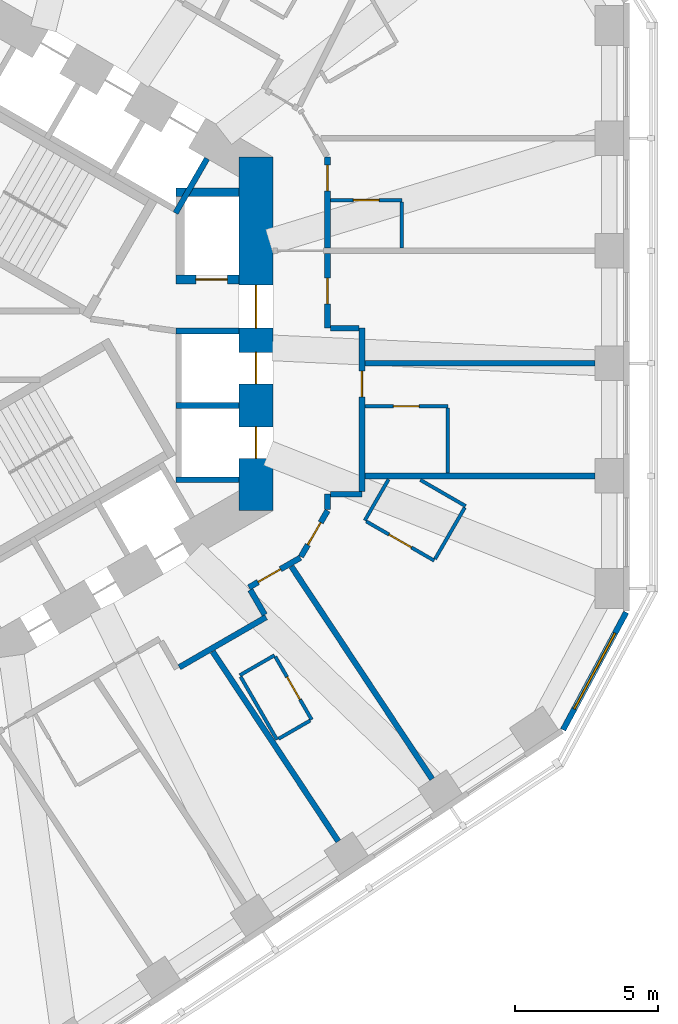
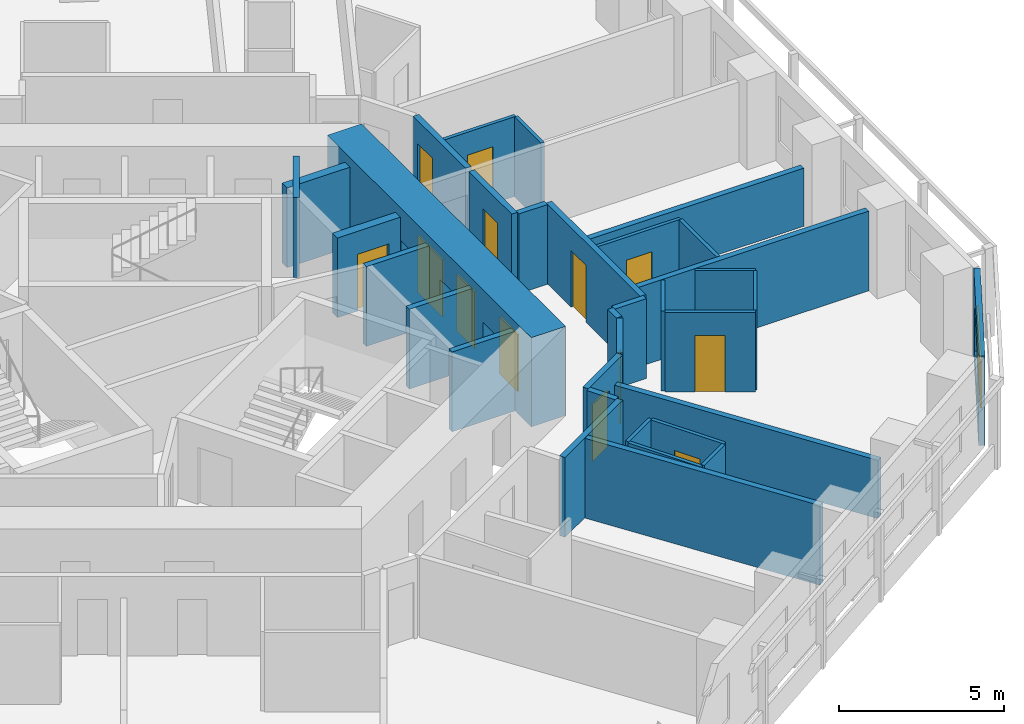
# One storey, part 6 of 12: 34 walls, 13 doors, 1 window, 14 openings.
"""IFC4 building model written with IfcOpenShell, lengths in metres."""

from ifc_helpers import new_model, si_unit, direction, frame, frame_2d, origin, place, context, subcontext, project, spatial, rectangle, extrude, material, layer, layer_set, type_object, element, fill, save


model = new_model("IFC4")

# Units and contexts
model_context = context("Model", 3, precision=1e-05, world=origin(), true_north=direction((0.0, 1.0)))
body_context = subcontext(model_context, "Body", "Model", "MODEL_VIEW")
ifc_project = project(units=[si_unit("LENGTHUNIT", "METRE"), si_unit("AREAUNIT", "SQUARE_METRE"), si_unit("VOLUMEUNIT", "CUBIC_METRE"), si_unit("PLANEANGLEUNIT", "RADIAN"), si_unit("MASSUNIT", "GRAM", prefix="KILO")], contexts=[model_context])

# Site, building, storey
site_placement = place(None, origin())
site = spatial("IfcSite", under=ifc_project, at=site_placement, CompositionType="ELEMENT")
building_placement = place(site_placement, origin())
building = spatial("IfcBuilding", under=site, at=building_placement, Name="Vanh Sen Convention Tower", CompositionType="ELEMENT")
storey_placement = place(building_placement, frame((0.0, 0.0, 73.699951171875)))
storey = spatial("IfcBuildingStorey", under=building, at=storey_placement, Name="L16", CompositionType="ELEMENT", Elevation=73.699951171875)

# Wall
ifc_material_1 = material(Name="Moisture-resistant gypsum board on steel studs", Category="steel")
ifc_layer_1 = layer(ifc_material_1, 0.1201171875)
ifc_layer_set_1 = layer_set([ifc_layer_1], Name="Moisture-resistant gypsum board on steel studs")
wall_type_1 = type_object("IfcWallType", Name="Bathroom partition 120", PredefinedType="PARTITIONING", material=ifc_layer_set_1)
wall_1_placement = place(storey_placement, frame((9.532470703125, -11.93359375, 0.0), z_axis=(0.0, 0.0, 1.0), x_axis=(0.866034573852, 0.49998411664, 0.0)))
element("IfcWall", 1, at=wall_1_placement, inside=storey, type_object=wall_type_1, Name="Bathroom partition 120", PredefinedType="PARTITIONING", context=body_context, shape_type="SweptSolid", body=[
    extrude(rectangle(XDim=1.39990234375, YDim=0.1201171875, at=frame_2d((0.699951171875, 0.0))), origin(), (0.0, 0.0, 1.0), 2.949951171875),
])

# Wall, opening, door
wall_2_placement = place(storey_placement, frame((10.77490234375, -11.28564453125, 0.0), z_axis=(0.0, 0.0, 1.0), x_axis=(0.500046963369, -0.865998287773, 0.0)))
wall_2 = element("IfcWall", 2, at=wall_2_placement, inside=storey, type_object=wall_type_1, Name="Bathroom partition 120", PredefinedType="PARTITIONING", context=body_context, shape_type="SweptSolid", body=[
    extrude(rectangle(XDim=2.539794921875, YDim=0.1201171875, at=frame_2d((1.27001953125, 0.0))), origin(), (0.0, 0.0, 1.0), 2.949951171875),
])
opening_1_placement = place(wall_2_placement, frame((0.820068359375, 0.0, 0.0)))
opening_1 = element("IfcOpeningElement", 3, at=opening_1_placement, cuts=wall_2, Name="Opening D16134", PredefinedType="OPENING", context=body_context, shape_type="SweptSolid", body=[
    extrude(rectangle(XDim=0.89990234375, YDim=2.10009765625, at=frame_2d((0.449951171875, 1.050048828125))), frame((0.0, 0.070068359375, 0.0), z_axis=(0.0, -1.0, 0.0), x_axis=(1.0, 0.0, 0.0)), (0.0, 0.0, 1.0), 0.14013671875),
])
ifc_material_2 = material(Name="Laminate door in steel frame", Category="steel")
door_type_1 = type_object("IfcDoorType", Name="En-suite door 900", OperationType="SINGLE_SWING_LEFT", PredefinedType="DOOR", material=ifc_material_2)
door_1_placement = place(opening_1_placement, origin())
door_1 = element("IfcDoor", 4, at=door_1_placement, inside=storey, type_object=door_type_1, Name="En-suite door D16134", OperationType="SINGLE_SWING_LEFT", OverallHeight=2.10009765625, OverallWidth=0.89990234375, PredefinedType="DOOR", context=body_context, shape_type="SweptSolid", body=[
    extrude(rectangle(XDim=0.89990234375, YDim=2.10009765625, at=frame_2d((0.449951171875, 1.050048828125))), frame((0.0, 0.02490234375, 0.0), z_axis=(0.0, -1.0, 0.0), x_axis=(1.0, 0.0, 0.0)), (0.0, 0.0, 1.0), 0.050048828125),
])
fill(opening_1, door_1)

# Walls
wall_3_placement = place(storey_placement, frame((10.83251953125, -14.185302734375, 0.0), z_axis=(0.0, 0.0, 1.0), x_axis=(-0.500005339912, 0.866022320763, 0.0)))
element("IfcWall", 5, at=wall_3_placement, inside=storey, type_object=wall_type_1, Name="Bathroom partition 120", PredefinedType="PARTITIONING", context=body_context, shape_type="SweptSolid", body=[
    extrude(rectangle(XDim=2.5400390625, YDim=0.1201171875, at=frame_2d((1.27001953125, 0.0))), origin(), (0.0, 0.0, 1.0), 2.949951171875),
])
wall_4_placement = place(storey_placement, frame((11.992919921875, -13.51513671875, 0.0), z_axis=(0.0, 0.0, 1.0), x_axis=(-0.865956862152, -0.500118698802, 0.0)))
element("IfcWall", 6, at=wall_4_placement, inside=storey, type_object=wall_type_1, Name="Bathroom partition 120", PredefinedType="PARTITIONING", context=body_context, shape_type="SweptSolid", body=[
    extrude(rectangle(XDim=1.280029296875, YDim=0.1201171875, at=frame_2d((0.64013671875, 0.0))), origin(), (0.0, 0.0, 1.0), 2.949951171875),
])

# Wall, opening, door
wall_5_placement = place(storey_placement, frame((12.699951171875, 4.677490234375, 0.0), z_axis=(0.0, 0.0, 1.0), x_axis=(1.0, 0.0, 0.0)))
wall_5 = element("IfcWall", 7, at=wall_5_placement, inside=storey, type_object=wall_type_1, Name="Bathroom partition 120", PredefinedType="PARTITIONING", context=body_context, shape_type="SweptSolid", body=[
    extrude(rectangle(XDim=2.5, YDim=0.1201171875, at=frame_2d((1.25, 0.0))), origin(), (0.0, 0.0, 1.0), 2.949951171875),
])
opening_2_placement = place(wall_5_placement, frame((0.800048828125, 0.0, 0.0)))
opening_2 = element("IfcOpeningElement", 8, at=opening_2_placement, cuts=wall_5, Name="Opening D16105", PredefinedType="OPENING", context=body_context, shape_type="SweptSolid", body=[
    extrude(rectangle(XDim=0.89990234375, YDim=2.10009765625, at=frame_2d((0.449951171875, 1.050048828125))), frame((0.0, 0.070068359375, 0.0), z_axis=(0.0, -1.0, 0.0), x_axis=(1.0, 0.0, 0.0)), (0.0, 0.0, 1.0), 0.14013671875),
])
door_2_placement = place(opening_2_placement, origin())
door_2 = element("IfcDoor", 9, at=door_2_placement, inside=storey, type_object=door_type_1, Name="En-suite door D16105", OperationType="SINGLE_SWING_LEFT", OverallHeight=2.10009765625, OverallWidth=0.89990234375, PredefinedType="DOOR", context=body_context, shape_type="SweptSolid", body=[
    extrude(rectangle(XDim=0.89990234375, YDim=2.10009765625, at=frame_2d((0.449951171875, 1.050048828125))), frame((0.0, 0.02490234375, 0.0), z_axis=(0.0, -1.0, 0.0), x_axis=(1.0, 0.0, 0.0)), (0.0, 0.0, 1.0), 0.050048828125),
])
fill(opening_2, door_2)

# Wall
wall_6_placement = place(storey_placement, frame((13.90087890625, -6.5244140625, 0.0), z_axis=(0.0, 0.0, 1.0), x_axis=(0.499964162598, 0.86604609353, 0.0)))
element("IfcWall", 10, at=wall_6_placement, inside=storey, type_object=wall_type_1, Name="Bathroom partition 120", PredefinedType="PARTITIONING", context=body_context, shape_type="SweptSolid", body=[
    extrude(rectangle(XDim=1.6611328125, YDim=0.1201171875, at=frame_2d((0.83056640625, 0.0))), origin(), (0.0, 0.0, 1.0), 2.949951171875),
])

# Wall, opening, door
wall_7_placement = place(storey_placement, frame((13.90087890625, -2.530029296875, 0.0), z_axis=(0.0, 0.0, 1.0), x_axis=(1.0, 0.0, 0.0)))
wall_7 = element("IfcWall", 11, at=wall_7_placement, inside=storey, type_object=wall_type_1, Name="Bathroom partition 120", PredefinedType="PARTITIONING", context=body_context, shape_type="SweptSolid", body=[
    extrude(rectangle(XDim=2.900146484375, YDim=0.1201171875, at=frame_2d((1.4501953125, 0.0))), origin(), (0.0, 0.0, 1.0), 2.949951171875),
])
opening_3_placement = place(wall_7_placement, frame((1.0, 0.0, 0.0)))
opening_3 = element("IfcOpeningElement", 12, at=opening_3_placement, cuts=wall_7, Name="Opening D16102", PredefinedType="OPENING", context=body_context, shape_type="SweptSolid", body=[
    extrude(rectangle(XDim=0.89990234375, YDim=2.10009765625, at=frame_2d((0.449951171875, 1.050048828125))), frame((0.0, 0.070068359375, 0.0), z_axis=(0.0, -1.0, 0.0), x_axis=(1.0, 0.0, 0.0)), (0.0, 0.0, 1.0), 0.14013671875),
])
door_3_placement = place(opening_3_placement, origin())
door_3 = element("IfcDoor", 13, at=door_3_placement, inside=storey, type_object=door_type_1, Name="En-suite door D16102", OperationType="SINGLE_SWING_LEFT", OverallHeight=2.10009765625, OverallWidth=0.89990234375, PredefinedType="DOOR", context=body_context, shape_type="SweptSolid", body=[
    extrude(rectangle(XDim=0.89990234375, YDim=2.10009765625, at=frame_2d((0.449951171875, 1.050048828125))), frame((0.0, 0.02490234375, 0.0), z_axis=(0.0, -1.0, 0.0), x_axis=(1.0, 0.0, 0.0)), (0.0, 0.0, 1.0), 0.050048828125),
])
fill(opening_3, door_3)

# Walls
wall_8_placement = place(storey_placement, frame((15.199951171875, 4.61767578125, 0.0), z_axis=(0.0, 0.0, 1.0), x_axis=(0.0, -1.0, 0.0)))
element("IfcWall", 14, at=wall_8_placement, inside=storey, type_object=wall_type_1, Name="Bathroom partition 120", PredefinedType="PARTITIONING", context=body_context, shape_type="SweptSolid", body=[
    extrude(rectangle(XDim=1.61328125, YDim=0.1201171875, at=frame_2d((0.806640625, 0.0))), origin(), (0.0, 0.0, 1.0), 2.949951171875),
])
wall_9_placement = place(storey_placement, frame((15.84130859375, -5.1044921875, 0.0), z_axis=(0.0, 0.0, 1.0), x_axis=(0.866025591402, -0.499999675036, 0.0)))
element("IfcWall", 15, at=wall_9_placement, inside=storey, type_object=wall_type_1, Name="Bathroom partition 120", PredefinedType="PARTITIONING", context=body_context, shape_type="SweptSolid", body=[
    extrude(rectangle(XDim=1.82958984375, YDim=0.1201171875, at=frame_2d((0.914794921875, 0.0))), origin(), (0.0, 0.0, 1.0), 2.949951171875),
])

# Wall, opening, door
wall_10_placement = place(storey_placement, frame((16.32568359375, -7.924560546875, 0.0), z_axis=(0.0, 0.0, 1.0), x_axis=(-0.865997131366, 0.500048966069, 0.0)))
wall_10 = element("IfcWall", 16, at=wall_10_placement, inside=storey, type_object=wall_type_1, Name="Bathroom partition 120", PredefinedType="PARTITIONING", context=body_context, shape_type="SweptSolid", body=[
    extrude(rectangle(XDim=2.739990234375, YDim=0.1201171875, at=frame_2d((1.3701171875, 0.0))), origin(), (0.0, 0.0, 1.0), 2.949951171875),
])
opening_4_placement = place(wall_10_placement, frame((0.919921875, 0.0, 0.0)))
opening_4 = element("IfcOpeningElement", 17, at=opening_4_placement, cuts=wall_10, Name="Opening D16136", PredefinedType="OPENING", context=body_context, shape_type="SweptSolid", body=[
    extrude(rectangle(XDim=0.89990234375, YDim=2.10009765625, at=frame_2d((0.449951171875, 1.050048828125))), frame((0.0, 0.070068359375, 0.0), z_axis=(0.0, -1.0, 0.0), x_axis=(1.0, 0.0, 0.0)), (0.0, 0.0, 1.0), 0.14013671875),
])
door_4_placement = place(opening_4_placement, origin())
door_4 = element("IfcDoor", 18, at=door_4_placement, inside=storey, type_object=door_type_1, Name="En-suite door D16136", OperationType="SINGLE_SWING_LEFT", OverallHeight=2.10009765625, OverallWidth=0.89990234375, PredefinedType="DOOR", context=body_context, shape_type="SweptSolid", body=[
    extrude(rectangle(XDim=0.89990234375, YDim=2.10009765625, at=frame_2d((0.449951171875, 1.050048828125))), frame((0.0, 0.02490234375, 0.0), z_axis=(0.0, -1.0, 0.0), x_axis=(1.0, 0.0, 0.0)), (0.0, 0.0, 1.0), 0.050048828125),
])
fill(opening_4, door_4)

# Walls
wall_11_placement = place(storey_placement, frame((16.801025390625, -2.590087890625, 0.0), z_axis=(0.0, 0.0, 1.0), x_axis=(0.0, -1.0, 0.0)))
element("IfcWall", 19, at=wall_11_placement, inside=storey, type_object=wall_type_1, Name="Bathroom partition 120", PredefinedType="PARTITIONING", context=body_context, shape_type="SweptSolid", body=[
    extrude(rectangle(XDim=2.2744140625, YDim=0.1201171875, at=frame_2d((1.13720703125, 0.0))), origin(), (0.0, 0.0, 1.0), 2.949951171875),
])
wall_12_placement = place(storey_placement, frame((17.395751953125, -6.0712890625, 0.0), z_axis=(0.0, 0.0, 1.0), x_axis=(-0.500027264788, -0.866009661879, 0.0)))
element("IfcWall", 20, at=wall_12_placement, inside=storey, type_object=wall_type_1, Name="Bathroom partition 120", PredefinedType="PARTITIONING", context=body_context, shape_type="SweptSolid", body=[
    extrude(rectangle(XDim=2.080078125, YDim=0.1201171875, at=frame_2d((1.0400390625, 0.0))), origin(), (0.0, 0.0, 1.0), 2.949951171875),
])

# Wall, openings, doors
ifc_material_3 = material(Name="Concrete C80/95", Category="concrete")
ifc_layer_2 = layer(ifc_material_3, 1.199951171875)
ifc_layer_set_2 = layer_set([ifc_layer_2], Name="Concrete C80/95")
wall_type_2 = type_object("IfcWallType", Name="Core outer wall 1200 C80/95", PredefinedType="SHEAR", material=ifc_layer_set_2)
wall_13_placement = place(storey_placement, frame((10.10009765625, -6.177490234375, 0.0), z_axis=(0.0, 0.0, 1.0), x_axis=(0.0, 1.0, 0.0)))
wall_13 = element("IfcWall", 21, at=wall_13_placement, inside=storey, type_object=wall_type_2, Name="Core wall face E L16", PredefinedType="SHEAR", context=body_context, shape_type="SweptSolid", body=[
    extrude(rectangle(XDim=12.35498046875, YDim=1.199951171875, at=frame_2d((6.177490234375, 0.0))), origin(), (0.0, 0.0, 1.0), 3.300048828125),
])
opening_5_placement = place(wall_13_placement, frame((6.377685546875, 0.0, 0.0)))
opening_5 = element("IfcOpeningElement", 22, at=opening_5_placement, cuts=wall_13, Name="Opening D16001", PredefinedType="OPENING", context=body_context, shape_type="SweptSolid", body=[
    extrude(rectangle(XDim=1.5, YDim=2.10009765625, at=frame_2d((0.75, 1.050048828125))), frame((0.0, 0.60986328125, 0.0), z_axis=(0.0, -1.0, 0.0), x_axis=(1.0, 0.0, 0.0)), (0.0, 0.0, 1.0), 1.219970703125),
])
opening_6_placement = place(wall_13_placement, frame((1.82763671875, 0.0, 0.0)))
opening_6 = element("IfcOpeningElement", 23, at=opening_6_placement, cuts=wall_13, Name="Opening LD-LR1", PredefinedType="OPENING", context=body_context, shape_type="SweptSolid", body=[
    extrude(rectangle(XDim=1.10009765625, YDim=2.10009765625, at=frame_2d((0.550048828125, 1.050048828125))), frame((0.0, 0.60986328125, 0.0), z_axis=(0.0, -1.0, 0.0), x_axis=(1.0, 0.0, 0.0)), (0.0, 0.0, 1.0), 1.219970703125),
])
opening_7_placement = place(wall_13_placement, frame((4.427490234375, 0.0, 0.0)))
opening_7 = element("IfcOpeningElement", 24, at=opening_7_placement, cuts=wall_13, Name="Opening LD-LR2", PredefinedType="OPENING", context=body_context, shape_type="SweptSolid", body=[
    extrude(rectangle(XDim=1.10009765625, YDim=2.10009765625, at=frame_2d((0.550048828125, 1.050048828125))), frame((0.0, 0.60986328125, 0.0), z_axis=(0.0, -1.0, 0.0), x_axis=(1.0, 0.0, 0.0)), (0.0, 0.0, 1.0), 1.219970703125),
])
ifc_material_4 = material(Name="Stainless steel", Category="steel")
door_type_2 = type_object("IfcDoorType", Name="Lift landing door 1100", OperationType="DOUBLE_DOOR_SLIDING", PredefinedType="DOOR", material=ifc_material_4)
door_5_placement = place(opening_6_placement, origin())
door_5 = element("IfcDoor", 25, at=door_5_placement, inside=storey, type_object=door_type_2, Name="Lift LR1 landing door LD-LR1", OperationType="DOUBLE_DOOR_SLIDING", OverallHeight=2.10009765625, OverallWidth=1.10009765625, PredefinedType="DOOR", context=body_context, shape_type="SweptSolid", body=[
    extrude(rectangle(XDim=1.10009765625, YDim=2.10009765625, at=frame_2d((0.550048828125, 1.050048828125))), frame((0.0, 0.02490234375, 0.0), z_axis=(0.0, -1.0, 0.0), x_axis=(1.0, 0.0, 0.0)), (0.0, 0.0, 1.0), 0.050048828125),
])
fill(opening_6, door_5)
door_6_placement = place(opening_7_placement, origin())
door_6 = element("IfcDoor", 26, at=door_6_placement, inside=storey, type_object=door_type_2, Name="Lift LR2 landing door LD-LR2", OperationType="DOUBLE_DOOR_SLIDING", OverallHeight=2.10009765625, OverallWidth=1.10009765625, PredefinedType="DOOR", context=body_context, shape_type="SweptSolid", body=[
    extrude(rectangle(XDim=1.10009765625, YDim=2.10009765625, at=frame_2d((0.550048828125, 1.050048828125))), frame((0.0, 0.02490234375, 0.0), z_axis=(0.0, -1.0, 0.0), x_axis=(1.0, 0.0, 0.0)), (0.0, 0.0, 1.0), 0.050048828125),
])
fill(opening_7, door_6)
ifc_material_5 = material(Name="Steel S355", Category="steel")
door_type_3 = type_object("IfcDoorType", Name="Stair lobby door 1500", OperationType="DOUBLE_DOOR_SINGLE_SWING", PredefinedType="DOOR", material=ifc_material_5)
door_7_placement = place(opening_5_placement, origin())
door_7 = element("IfcDoor", 27, at=door_7_placement, inside=storey, type_object=door_type_3, Name="Stair lobby door D16001", OperationType="DOUBLE_DOOR_SINGLE_SWING", OverallHeight=2.10009765625, OverallWidth=1.5, PredefinedType="DOOR", context=body_context, shape_type="SweptSolid", body=[
    extrude(rectangle(XDim=1.5, YDim=2.10009765625, at=frame_2d((0.75, 1.050048828125))), frame((0.0, 0.02490234375, 0.0), z_axis=(0.0, -1.0, 0.0), x_axis=(1.0, 0.0, 0.0)), (0.0, 0.0, 1.0), 0.050048828125),
])
fill(opening_5, door_7)

# Wall
ifc_material_6 = material(Name="Gypsum board on steel studs with mineral wool", Category="steel")
ifc_layer_3 = layer(ifc_material_6, 0.199951171875)
ifc_layer_set_3 = layer_set([ifc_layer_3], Name="Gypsum board on steel studs with mineral wool")
wall_type_3 = type_object("IfcWallType", Name="Corridor partition wall 200", PredefinedType="PARTITIONING", material=ifc_layer_set_3)
wall_14_placement = place(storey_placement, frame((7.419189453125, -11.652587890625, 0.0), z_axis=(0.0, 0.0, 1.0), x_axis=(0.866038154057, 0.49997791523, 0.0)))
element("IfcWall", 28, at=wall_14_placement, inside=storey, type_object=wall_type_3, Name="Corridor partition wall 200", PredefinedType="PARTITIONING", context=body_context, shape_type="SweptSolid", body=[
    extrude(rectangle(XDim=3.502197265625, YDim=0.199951171875, at=frame_2d((1.7509765625, 0.0))), origin(), (0.0, 0.0, 1.0), 2.949951171875),
])

# Wall, opening, door
wall_15_placement = place(storey_placement, frame((9.8515625, -8.861328125, 0.0), z_axis=(0.0, 0.0, 1.0), x_axis=(0.866013291437, 0.500020978615, 0.0)))
wall_15 = element("IfcWall", 29, at=wall_15_placement, inside=storey, type_object=wall_type_3, Name="Corridor partition wall 200", PredefinedType="PARTITIONING", context=body_context, shape_type="SweptSolid", body=[
    extrude(rectangle(XDim=2.07666015625, YDim=0.199951171875, at=frame_2d((1.038330078125, 0.0))), origin(), (0.0, 0.0, 1.0), 2.949951171875),
])
opening_8_placement = place(wall_15_placement, frame((0.37158203125, 0.0, 0.0)))
opening_8 = element("IfcOpeningElement", 30, at=opening_8_placement, cuts=wall_15, Name="Opening D16133", PredefinedType="OPENING", context=body_context, shape_type="SweptSolid", body=[
    extrude(rectangle(XDim=0.89990234375, YDim=2.10009765625, at=frame_2d((0.449951171875, 1.050048828125))), frame((0.0, 0.10986328125, 0.0), z_axis=(0.0, -1.0, 0.0), x_axis=(1.0, 0.0, 0.0)), (0.0, 0.0, 1.0), 0.219970703125),
])
ifc_material_7 = material(Name="Timber fire door in steel frame", Category="steel")
door_type_4 = type_object("IfcDoorType", Name="Guest room door 900", OperationType="SINGLE_SWING_LEFT", PredefinedType="DOOR", material=ifc_material_7)
door_8_placement = place(opening_8_placement, origin())
door_8 = element("IfcDoor", 31, at=door_8_placement, inside=storey, type_object=door_type_4, Name="Hotel guest room door D16133", OperationType="SINGLE_SWING_LEFT", OverallHeight=2.10009765625, OverallWidth=0.89990234375, PredefinedType="DOOR", context=body_context, shape_type="SweptSolid", body=[
    extrude(rectangle(XDim=0.89990234375, YDim=2.10009765625, at=frame_2d((0.449951171875, 1.050048828125))), frame((0.0, 0.02490234375, 0.0), z_axis=(0.0, -1.0, 0.0), x_axis=(1.0, 0.0, 0.0)), (0.0, 0.0, 1.0), 0.050048828125),
])
fill(opening_8, door_8)

# Wall
wall_16_placement = place(storey_placement, frame((10.402099609375, -9.81494140625, 0.0), z_axis=(0.0, 0.0, 1.0), x_axis=(-0.499968756647, 0.866043441391, 0.0)))
element("IfcWall", 32, at=wall_16_placement, inside=storey, type_object=wall_type_3, Name="Corridor partition wall 200", PredefinedType="PARTITIONING", context=body_context, shape_type="SweptSolid", body=[
    extrude(rectangle(XDim=1.0009765625, YDim=0.199951171875, at=frame_2d((0.50048828125, 0.0))), origin(), (0.0, 0.0, 1.0), 2.949951171875),
])

# Wall, opening, door
wall_17_placement = place(storey_placement, frame((11.669921875, -7.788330078125, 0.0), z_axis=(0.0, 0.0, 1.0), x_axis=(0.500063286585, 0.865988862174, 0.0)))
wall_17 = element("IfcWall", 33, at=wall_17_placement, inside=storey, type_object=wall_type_3, Name="Corridor partition wall 200", PredefinedType="PARTITIONING", context=body_context, shape_type="SweptSolid", body=[
    extrude(rectangle(XDim=1.860107421875, YDim=0.199951171875, at=frame_2d((0.93017578125, 0.0))), origin(), (0.0, 0.0, 1.0), 2.949951171875),
])
opening_9_placement = place(wall_17_placement, frame((0.47998046875, 0.0, 0.0)))
opening_9 = element("IfcOpeningElement", 34, at=opening_9_placement, cuts=wall_17, Name="Opening D16135", PredefinedType="OPENING", context=body_context, shape_type="SweptSolid", body=[
    extrude(rectangle(XDim=0.89990234375, YDim=2.10009765625, at=frame_2d((0.449951171875, 1.050048828125))), frame((0.0, 0.10986328125, 0.0), z_axis=(0.0, -1.0, 0.0), x_axis=(1.0, 0.0, 0.0)), (0.0, 0.0, 1.0), 0.219970703125),
])
door_9_placement = place(opening_9_placement, origin())
door_9 = element("IfcDoor", 35, at=door_9_placement, inside=storey, type_object=door_type_4, Name="Hotel guest room door D16135", OperationType="SINGLE_SWING_LEFT", OverallHeight=2.10009765625, OverallWidth=0.89990234375, PredefinedType="DOOR", context=body_context, shape_type="SweptSolid", body=[
    extrude(rectangle(XDim=0.89990234375, YDim=2.10009765625, at=frame_2d((0.449951171875, 1.050048828125))), frame((0.0, 0.02490234375, 0.0), z_axis=(0.0, -1.0, 0.0), x_axis=(1.0, 0.0, 0.0)), (0.0, 0.0, 1.0), 0.050048828125),
])
fill(opening_9, door_9)

# Wall
wall_18_placement = place(storey_placement, frame((12.60009765625, -6.1376953125, 0.0), z_axis=(0.0, 0.0, 1.0), x_axis=(0.0, 1.0, 0.0)))
element("IfcWall", 36, at=wall_18_placement, inside=storey, type_object=wall_type_3, Name="Corridor partition wall 200", PredefinedType="PARTITIONING", context=body_context, shape_type="SweptSolid", body=[
    extrude(rectangle(XDim=0.53662109375, YDim=0.199951171875, at=frame_2d((0.268310546875, 0.0))), origin(), (0.0, 0.0, 1.0), 2.949951171875),
])

# Wall, opening, door
wall_19_placement = place(storey_placement, frame((12.60009765625, 0.200927734375, 0.0), z_axis=(0.0, 0.0, 1.0), x_axis=(0.0, 1.0, 0.0)))
wall_19 = element("IfcWall", 37, at=wall_19_placement, inside=storey, type_object=wall_type_3, Name="Corridor partition wall 200", PredefinedType="PARTITIONING", context=body_context, shape_type="SweptSolid", body=[
    extrude(rectangle(XDim=2.603515625, YDim=0.199951171875, at=frame_2d((1.3017578125, 0.0))), origin(), (0.0, 0.0, 1.0), 2.949951171875),
])
opening_10_placement = place(wall_19_placement, frame((0.851806640625, 0.0, 0.0)))
opening_10 = element("IfcOpeningElement", 38, at=opening_10_placement, cuts=wall_19, Name="Opening D16103", PredefinedType="OPENING", context=body_context, shape_type="SweptSolid", body=[
    extrude(rectangle(XDim=0.89990234375, YDim=2.10009765625, at=frame_2d((0.449951171875, 1.050048828125))), frame((0.0, 0.10986328125, 0.0), z_axis=(0.0, -1.0, 0.0), x_axis=(1.0, 0.0, 0.0)), (0.0, 0.0, 1.0), 0.219970703125),
])
door_type_5 = type_object("IfcDoorType", Name="Floor service door 900", OperationType="SINGLE_SWING_LEFT", PredefinedType="DOOR", material=ifc_material_7)
door_10_placement = place(opening_10_placement, origin())
door_10 = element("IfcDoor", 39, at=door_10_placement, inside=storey, type_object=door_type_5, Name="Service room door D16103", OperationType="SINGLE_SWING_LEFT", OverallHeight=2.10009765625, OverallWidth=0.89990234375, PredefinedType="DOOR", context=body_context, shape_type="SweptSolid", body=[
    extrude(rectangle(XDim=0.89990234375, YDim=2.10009765625, at=frame_2d((0.449951171875, 1.050048828125))), frame((0.0, 0.02490234375, 0.0), z_axis=(0.0, -1.0, 0.0), x_axis=(1.0, 0.0, 0.0)), (0.0, 0.0, 1.0), 0.050048828125),
])
fill(opening_10, door_10)

wall_20_placement = place(storey_placement, frame((12.60009765625, 3.00439453125, 0.0), z_axis=(0.0, 0.0, 1.0), x_axis=(0.0, 1.0, 0.0)))
wall_20 = element("IfcWall", 40, at=wall_20_placement, inside=storey, type_object=wall_type_3, Name="Corridor partition wall 200", PredefinedType="PARTITIONING", context=body_context, shape_type="SweptSolid", body=[
    extrude(rectangle(XDim=3.173095703125, YDim=0.199951171875, at=frame_2d((1.58642578125, 0.0))), origin(), (0.0, 0.0, 1.0), 2.949951171875),
])
opening_11_placement = place(wall_20_placement, frame((1.998046875, 0.0, 0.0)))
opening_11 = element("IfcOpeningElement", 41, at=opening_11_placement, cuts=wall_20, Name="Opening D16104", PredefinedType="OPENING", context=body_context, shape_type="SweptSolid", body=[
    extrude(rectangle(XDim=0.89990234375, YDim=2.10009765625, at=frame_2d((0.449951171875, 1.050048828125))), frame((0.0, 0.10986328125, 0.0), z_axis=(0.0, -1.0, 0.0), x_axis=(1.0, 0.0, 0.0)), (0.0, 0.0, 1.0), 0.219970703125),
])
door_11_placement = place(opening_11_placement, origin())
door_11 = element("IfcDoor", 42, at=door_11_placement, inside=storey, type_object=door_type_4, Name="Hotel guest room door D16104", OperationType="SINGLE_SWING_LEFT", OverallHeight=2.10009765625, OverallWidth=0.89990234375, PredefinedType="DOOR", context=body_context, shape_type="SweptSolid", body=[
    extrude(rectangle(XDim=0.89990234375, YDim=2.10009765625, at=frame_2d((0.449951171875, 1.050048828125))), frame((0.0, 0.02490234375, 0.0), z_axis=(0.0, -1.0, 0.0), x_axis=(1.0, 0.0, 0.0)), (0.0, 0.0, 1.0), 0.050048828125),
])
fill(opening_11, door_11)

# Walls
wall_21_placement = place(storey_placement, frame((12.699951171875, -5.60107421875, 0.0), z_axis=(0.0, 0.0, 1.0), x_axis=(1.0, 0.0, 0.0)))
element("IfcWall", 43, at=wall_21_placement, inside=storey, type_object=wall_type_3, Name="Corridor partition wall 200", PredefinedType="PARTITIONING", context=body_context, shape_type="SweptSolid", body=[
    extrude(rectangle(XDim=1.10107421875, YDim=0.199951171875, at=frame_2d((0.550537109375, 0.0))), origin(), (0.0, 0.0, 1.0), 2.949951171875),
])
wall_22_placement = place(storey_placement, frame((13.700927734375, 0.200927734375, 0.0), z_axis=(0.0, 0.0, 1.0), x_axis=(-1.0, 0.0, 0.0)))
element("IfcWall", 44, at=wall_22_placement, inside=storey, type_object=wall_type_3, Name="Corridor partition wall 200", PredefinedType="PARTITIONING", context=body_context, shape_type="SweptSolid", body=[
    extrude(rectangle(XDim=1.0009765625, YDim=0.199951171875, at=frame_2d((0.50048828125, 0.0))), origin(), (0.0, 0.0, 1.0), 2.949951171875),
])

# Wall, opening, door
wall_23_placement = place(storey_placement, frame((13.801025390625, -5.5009765625, 0.0), z_axis=(0.0, 0.0, 1.0), x_axis=(0.0, 1.0, 0.0)))
wall_23 = element("IfcWall", 45, at=wall_23_placement, inside=storey, type_object=wall_type_3, Name="Corridor partition wall 200", PredefinedType="PARTITIONING", context=body_context, shape_type="SweptSolid", body=[
    extrude(rectangle(XDim=5.701904296875, YDim=0.199951171875, at=frame_2d((2.85107421875, 0.0))), origin(), (0.0, 0.0, 1.0), 2.949951171875),
])
opening_12_placement = place(wall_23_placement, frame((3.2958984375, 0.0, 0.0)))
opening_12 = element("IfcOpeningElement", 46, at=opening_12_placement, cuts=wall_23, Name="Opening D16101", PredefinedType="OPENING", context=body_context, shape_type="SweptSolid", body=[
    extrude(rectangle(XDim=0.89990234375, YDim=2.10009765625, at=frame_2d((0.449951171875, 1.050048828125))), frame((0.0, 0.10986328125, 0.0), z_axis=(0.0, -1.0, 0.0), x_axis=(1.0, 0.0, 0.0)), (0.0, 0.0, 1.0), 0.219970703125),
])
door_12_placement = place(opening_12_placement, origin())
door_12 = element("IfcDoor", 47, at=door_12_placement, inside=storey, type_object=door_type_4, Name="Hotel guest room door D16101", OperationType="SINGLE_SWING_LEFT", OverallHeight=2.10009765625, OverallWidth=0.89990234375, PredefinedType="DOOR", context=body_context, shape_type="SweptSolid", body=[
    extrude(rectangle(XDim=0.89990234375, YDim=2.10009765625, at=frame_2d((0.449951171875, 1.050048828125))), frame((0.0, 0.02490234375, 0.0), z_axis=(0.0, -1.0, 0.0), x_axis=(1.0, 0.0, 0.0)), (0.0, 0.0, 1.0), 0.050048828125),
])
fill(opening_12, door_12)

# Wall, opening, window
ifc_material_8 = material(Name="Insulated lightweight infill wall")
ifc_layer_4 = layer(ifc_material_8, 0.199951171875)
ifc_layer_set_4 = layer_set([ifc_layer_4], Name="Insulated lightweight infill wall")
wall_type_4 = type_object("IfcWallType", Name="External wall 200", PredefinedType="STANDARD", material=ifc_layer_set_4)
wall_24_placement = place(storey_placement, frame((20.83251953125, -13.838623046875, 0.0), z_axis=(0.0, 0.0, 1.0), x_axis=(0.473321668581, 0.880889662813, 0.0)))
wall_24 = element("IfcWall", 48, at=wall_24_placement, inside=storey, type_object=wall_type_4, Name="External wall CH6 L16", PredefinedType="STANDARD", context=body_context, shape_type="SweptSolid", body=[
    extrude(rectangle(XDim=4.65966796875, YDim=0.199951171875, at=frame_2d((2.329833984375, 0.0))), origin(), (0.0, 0.0, 1.0), 3.300048828125),
])
opening_13_placement = place(wall_24_placement, frame((0.829833984375, 0.0, 0.800048828125)))
opening_13 = element("IfcOpeningElement", 49, at=opening_13_placement, cuts=wall_24, Name="Opening WH2-CH61", PredefinedType="OPENING", context=body_context, shape_type="SweptSolid", body=[
    extrude(rectangle(XDim=3.0, YDim=1.699951171875, at=frame_2d((1.5, 0.85009765625))), frame((0.0, 0.10986328125, 0.0), z_axis=(0.0, -1.0, 0.0), x_axis=(1.0, 0.0, 0.0)), (0.0, 0.0, 1.0), 0.219970703125),
])
ifc_material_9 = material(Name="Aluminium frame with clear low-emissivity glass", Category="aluminium")
window_type = type_object("IfcWindowType", Name="Hotel window 3000 x 1700", PartitioningType="SINGLE_PANEL", PredefinedType="WINDOW", material=ifc_material_9)
window_placement = place(opening_13_placement, origin())
window = element("IfcWindow", 50, at=window_placement, inside=storey, type_object=window_type, Name="Window WH2-CH61", OverallHeight=1.699951171875, OverallWidth=3.0, PartitioningType="SINGLE_PANEL", PredefinedType="WINDOW", context=body_context, shape_type="SweptSolid", body=[
    extrude(rectangle(XDim=3.0, YDim=1.699951171875, at=frame_2d((1.5, 0.85009765625))), frame((0.0, 0.030029296875, 0.0), z_axis=(0.0, -1.0, 0.0), x_axis=(1.0, 0.0, 0.0)), (0.0, 0.0, 1.0), 0.06005859375),
])
fill(opening_13, window)

# Wall, opening, door
ifc_material_10 = material(Name="Concrete C60/75", Category="concrete")
ifc_layer_5 = layer(ifc_material_10, 0.300048828125)
ifc_layer_set_5 = layer_set([ifc_layer_5], Name="Concrete C60/75")
wall_type_5 = type_object("IfcWallType", Name="Fire-fighting lift shaft wall 300", PredefinedType="SHEAR", material=ifc_layer_set_5)
wall_25_placement = place(storey_placement, frame((7.300048828125, 1.89990234375, 0.0), z_axis=(0.0, 0.0, 1.0), x_axis=(1.0, 0.0, 0.0)))
wall_25 = element("IfcWall", 51, at=wall_25_placement, inside=storey, type_object=wall_type_5, Name="Fire-fighting lift shaft wall L16", PredefinedType="SHEAR", context=body_context, shape_type="SweptSolid", body=[
    extrude(rectangle(XDim=2.199951171875, YDim=0.300048828125, at=frame_2d((1.10009765625, 0.0))), origin(), (0.0, 0.0, 1.0), 2.949951171875),
])
opening_14_placement = place(wall_25_placement, frame((0.699951171875, 0.0, 0.0)))
opening_14 = element("IfcOpeningElement", 52, at=opening_14_placement, cuts=wall_25, Name="Opening LD-FF1", PredefinedType="OPENING", context=body_context, shape_type="SweptSolid", body=[
    extrude(rectangle(XDim=1.10009765625, YDim=2.10009765625, at=frame_2d((0.550048828125, 1.050048828125))), frame((0.0, 0.159912109375, 0.0), z_axis=(0.0, -1.0, 0.0), x_axis=(1.0, 0.0, 0.0)), (0.0, 0.0, 1.0), 0.320068359375),
])
door_type_6 = type_object("IfcDoorType", Name="Fire-fighting lift landing door 1100", OperationType="DOUBLE_DOOR_SLIDING", PredefinedType="DOOR", material=ifc_material_4)
door_13_placement = place(opening_14_placement, origin())
door_13 = element("IfcDoor", 53, at=door_13_placement, inside=storey, type_object=door_type_6, Name="Lift FF1 landing door LD-FF1", OperationType="DOUBLE_DOOR_SLIDING", OverallHeight=2.10009765625, OverallWidth=1.10009765625, PredefinedType="DOOR", context=body_context, shape_type="SweptSolid", body=[
    extrude(rectangle(XDim=1.10009765625, YDim=2.10009765625, at=frame_2d((0.550048828125, 1.050048828125))), frame((0.0, 0.02490234375, 0.0), z_axis=(0.0, -1.0, 0.0), x_axis=(1.0, 0.0, 0.0)), (0.0, 0.0, 1.0), 0.050048828125),
])
fill(opening_14, door_13)

# Walls
wall_26_placement = place(storey_placement, frame((7.300048828125, 4.949951171875, 0.0), z_axis=(0.0, 0.0, 1.0), x_axis=(1.0, 0.0, 0.0)))
element("IfcWall", 54, at=wall_26_placement, inside=storey, type_object=wall_type_5, Name="Fire-fighting lift shaft wall L16", PredefinedType="SHEAR", context=body_context, shape_type="SweptSolid", body=[
    extrude(rectangle(XDim=2.199951171875, YDim=0.300048828125, at=frame_2d((1.10009765625, 0.0))), origin(), (0.0, 0.0, 1.0), 2.949951171875),
])
ifc_layer_6 = layer(ifc_material_6, 0.199951171875)
ifc_layer_set_6 = layer_set([ifc_layer_6], Name="Gypsum board on steel studs with mineral wool")
wall_type_6 = type_object("IfcWallType", Name="Hotel party wall 200", PredefinedType="PARTITIONING", material=ifc_layer_set_6)
wall_27_placement = place(storey_placement, frame((12.973876953125, -17.7353515625, 0.0), z_axis=(0.0, 0.0, 1.0), x_axis=(-0.55192625685, 0.833892922982, 0.0)))
element("IfcWall", 55, at=wall_27_placement, inside=storey, type_object=wall_type_6, Name="Hotel party wall 200", PredefinedType="PARTITIONING", context=body_context, shape_type="SweptSolid", body=[
    extrude(rectangle(XDim=7.9501953125, YDim=0.199951171875, at=frame_2d((3.97509765625, 0.0))), origin(), (0.0, 0.0, 1.0), 2.949951171875),
])
wall_28_placement = place(storey_placement, frame((13.90087890625, -4.964599609375, 0.0), z_axis=(0.0, 0.0, 1.0), x_axis=(1.0, 0.0, 0.0)))
element("IfcWall", 56, at=wall_28_placement, inside=storey, type_object=wall_type_6, Name="Hotel party wall 200", PredefinedType="PARTITIONING", context=body_context, shape_type="SweptSolid", body=[
    extrude(rectangle(XDim=8.049072265625, YDim=0.199951171875, at=frame_2d((4.0244140625, 0.0))), origin(), (0.0, 0.0, 1.0), 2.949951171875),
])
wall_29_placement = place(storey_placement, frame((16.2548828125, -15.563720703125, 0.0), z_axis=(0.0, 0.0, 1.0), x_axis=(-0.55192208744, 0.833895682562, 0.0)))
element("IfcWall", 57, at=wall_29_placement, inside=storey, type_object=wall_type_6, Name="Hotel party wall 200", PredefinedType="PARTITIONING", context=body_context, shape_type="SweptSolid", body=[
    extrude(rectangle(XDim=8.912841796875, YDim=0.199951171875, at=frame_2d((4.45654296875, 0.0))), origin(), (0.0, 0.0, 1.0), 2.150146484375),
])
wall_30_placement = place(storey_placement, frame((21.949951171875, -1.030029296875, 0.0), z_axis=(0.0, 0.0, 1.0), x_axis=(-1.0, 0.0, 0.0)))
element("IfcWall", 58, at=wall_30_placement, inside=storey, type_object=wall_type_6, Name="Hotel party wall 200", PredefinedType="PARTITIONING", context=body_context, shape_type="SweptSolid", body=[
    extrude(rectangle(XDim=8.049072265625, YDim=0.199951171875, at=frame_2d((4.0244140625, 0.0))), origin(), (0.0, 0.0, 1.0), 2.150146484375),
])
ifc_material_11 = material(Name="Concrete C40/50", Category="concrete")
ifc_layer_7 = layer(ifc_material_11, 0.199951171875)
ifc_layer_set_7 = layer_set([ifc_layer_7], Name="Concrete C40/50")
wall_type_7 = type_object("IfcWallType", Name="Lift shaft wall 200", PredefinedType="PARTITIONING", material=ifc_layer_set_7)
for number, where, z_axis, x_axis, name in (
    (59, (7.300048828125, -5.10009765625, 0.0), (0.0, 0.0, 1.0), (1.0, 0.0, 0.0), "Lift shaft wall L16"),
    (60, (7.300048828125, -2.5, 0.0), (0.0, 0.0, 1.0), (1.0, 0.0, 0.0), "Lift shaft wall L16"),
    (61, (7.300048828125, 0.10009765625, 0.0), (0.0, 0.0, 1.0), (1.0, 0.0, 0.0), "Lift shaft wall L16"),
    (62, (7.287353515625, 4.221923828125, 0.0), (0.0, 0.0, 1.0), (0.499946605688, 0.86605622881, 0.0), "Lift shaft wall L16"),
):
    element("IfcWall", number, at=place(storey_placement, frame(where, z_axis=z_axis, x_axis=x_axis)), inside=storey, type_object=wall_type_7, Name=name, PredefinedType="PARTITIONING", context=body_context, shape_type="SweptSolid", body=[
        extrude(rectangle(XDim=2.199951171875, YDim=0.199951171875, at=frame_2d((1.10009765625, 0.0))), origin(), (0.0, 0.0, 1.0), 2.949951171875),
    ])

save(model, "model.ifc")
